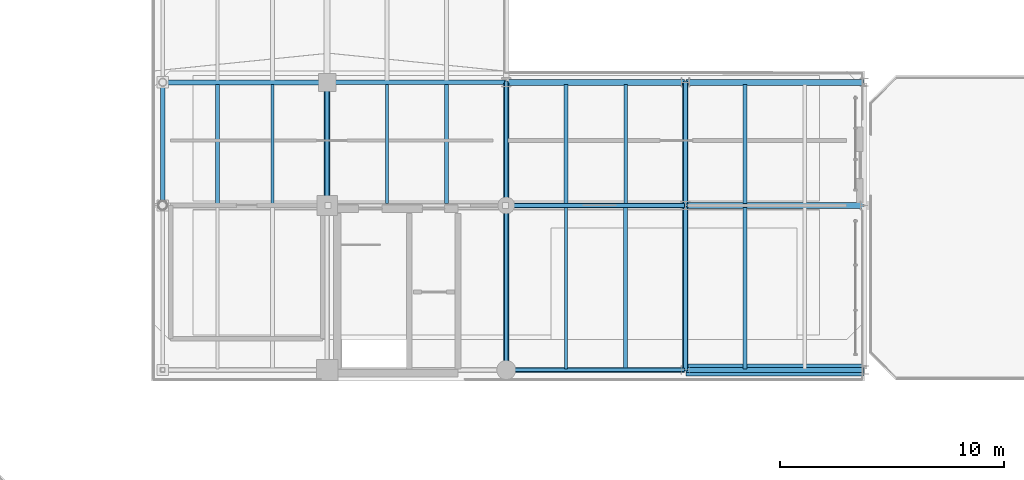
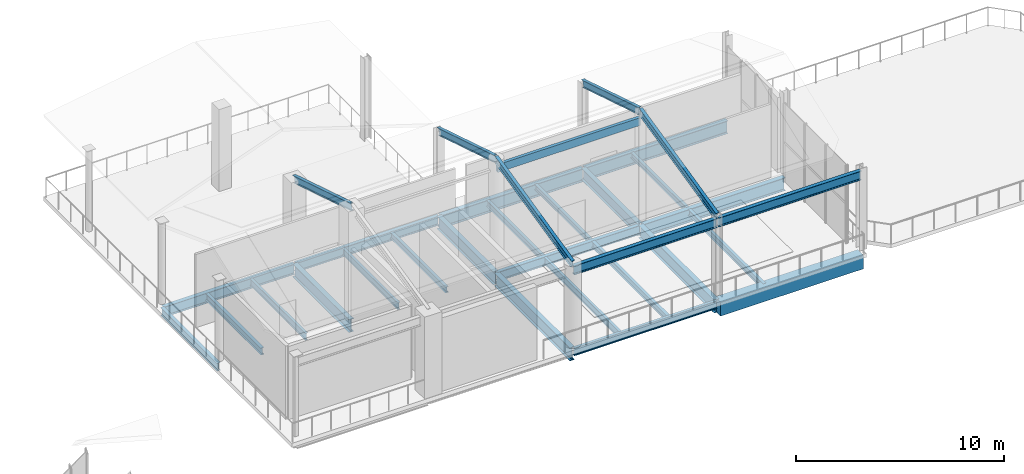
# One storey, part 16 of 30: 26 beams, 6 members.
"""IFC4 building model written with IfcOpenShell, lengths in metres."""

from ifc_helpers import new_model, si_unit, direction, frame, origin, origin_2d, place, context, subcontext, project, spatial, rectangle, i_section, extrude, material, material_profile, profile_set, type_object, element, save


model = new_model("IFC4")

# Units and contexts
model_context = context("Model", 3, precision=1e-05, world=origin(), true_north=direction((0.0, 1.0)))
body_context = subcontext(model_context, "Body", "Model", "MODEL_VIEW")
ifc_project = project(units=[si_unit("LENGTHUNIT", "METRE"), si_unit("AREAUNIT", "SQUARE_METRE"), si_unit("VOLUMEUNIT", "CUBIC_METRE"), si_unit("PLANEANGLEUNIT", "RADIAN"), si_unit("MASSUNIT", "GRAM", prefix="KILO")], contexts=[model_context])

# Site, building, storey
site_placement = place(None, origin())
site = spatial("IfcSite", under=ifc_project, at=site_placement, CompositionType="ELEMENT")
building_placement = place(site_placement, origin())
building = spatial("IfcBuilding", under=site, at=building_placement, Name="Brisemont Oceanarium", CompositionType="ELEMENT")
storey_placement = place(building_placement, frame((0.0, 0.0, 19.800048828125)))
storey = spatial("IfcBuildingStorey", under=building, at=storey_placement, Name="L04", CompositionType="ELEMENT", Elevation=19.800048828125)

# Beams
ifc_material_1 = material(Name="Concrete C40/50", Category="concrete")
ifc_material_profile_1 = material_profile(ifc_material_1, rectangle(XDim=0.550048828125, YDim=0.800048828125, at=origin_2d()), Name="RC-BM-550X800")
ifc_profile_set_1 = profile_set([ifc_material_profile_1], Name="Concrete C40/50")
beam_type_1 = type_object("IfcBeamType", Name="BM-RC550X800", PredefinedType="SPANDREL", material=ifc_profile_set_1)
beam_1_placement = place(storey_placement, frame((136.0400390625, 80.64990234375, -0.64013671875), z_axis=(1.0, 0.0, 0.0), x_axis=(0.0, 1.0, 0.0)))
element("IfcBeam", 1, at=beam_1_placement, inside=storey, type_object=beam_type_1, Name="V6 L04 EW girder", PredefinedType="SPANDREL", context=body_context, shape_type="SweptSolid", body=[
    extrude(rectangle(XDim=0.550048828125, YDim=0.800048828125, at=origin_2d()), origin(), (0.0, 0.0, 1.0), 7.919921875),
])
ifc_material_2 = material(Name="Structural Steel ASTM A992 Gr.50", Category="steel")
ifc_material_profile_2 = material_profile(ifc_material_2, i_section(OverallWidth=0.1650390625, OverallDepth=0.31005859375, WebThickness=0.005859375, FlangeThickness=0.009765625, FilletRadius=0.008056640625, at=origin_2d()), Name="W12X26")
ifc_profile_set_2 = profile_set([ifc_material_profile_2], Name="Structural Steel ASTM A992 Gr.50")
beam_type_2 = type_object("IfcBeamType", Name="BM-W12X26", PredefinedType="JOIST", material=ifc_profile_set_2)
for number, where, z_axis, x_axis, name in (
    (2, (133.333251953125, 88.090087890625, -0.39501953125), (0.0, 1.0, 0.0), (-1.0, 0.0, 0.0), "V6 L04 secondary floor beam"),
    (3, (138.666748046875, 88.090087890625, -0.39501953125), (0.0, 1.0, 0.0), (-1.0, 0.0, 0.0), "V6 L04 secondary floor beam"),
):
    element("IfcBeam", number, at=place(storey_placement, frame(where, z_axis=z_axis, x_axis=x_axis)), inside=storey, type_object=beam_type_2, Name=name, PredefinedType="JOIST", context=body_context, shape_type="SweptSolid", body=[
        extrude(i_section(OverallWidth=0.1650390625, OverallDepth=0.31005859375, WebThickness=0.005859375, FlangeThickness=0.009765625, FilletRadius=0.008056640625, at=origin_2d()), origin(), (0.0, 0.0, 1.0), 5.31982421875),
    ])
ifc_material_3 = material(Name="Structural Steel ASTM A992 Gr.50", Category="steel")
ifc_material_profile_3 = material_profile(ifc_material_3, i_section(OverallWidth=0.1708984375, OverallDepth=0.35107421875, WebThickness=0.0068359375, FlangeThickness=0.009765625, FilletRadius=0.010009765625, at=origin_2d()), Name="W14X30")
ifc_profile_set_3 = profile_set([ifc_material_profile_3], Name="Structural Steel ASTM A992 Gr.50")
beam_type_3 = type_object("IfcBeamType", Name="BM-W14X30", PredefinedType="JOIST", material=ifc_profile_set_3)
beam_2_placement = place(storey_placement, frame((125.333251953125, 88.090087890625, -0.41552734375), z_axis=(0.0, 1.0, 0.0), x_axis=(-1.0, 0.0, 0.0)))
element("IfcBeam", 4, at=beam_2_placement, inside=storey, type_object=beam_type_3, Name="V6 L04 secondary floor beam", PredefinedType="JOIST", context=body_context, shape_type="SweptSolid", body=[
    extrude(i_section(OverallWidth=0.1708984375, OverallDepth=0.35107421875, WebThickness=0.0068359375, FlangeThickness=0.009765625, FilletRadius=0.010009765625, at=origin_2d()), origin(), (0.0, 0.0, 1.0), 5.31982421875),
])
beam_3_placement = place(storey_placement, frame((133.333251953125, 80.68994140625, -0.41552734375), z_axis=(0.0, 1.0, 0.0), x_axis=(-1.0, 0.0, 0.0)))
element("IfcBeam", 5, at=beam_3_placement, inside=storey, type_object=beam_type_3, Name="V6 L04 secondary floor beam", PredefinedType="JOIST", context=body_context, shape_type="SweptSolid", body=[
    extrude(i_section(OverallWidth=0.1708984375, OverallDepth=0.35107421875, WebThickness=0.0068359375, FlangeThickness=0.009765625, FilletRadius=0.010009765625, at=origin_2d()), origin(), (0.0, 0.0, 1.0), 7.219970703125),
])
beam_4_placement = place(storey_placement, frame((130.666748046875, 88.090087890625, -0.41552734375), z_axis=(0.0, 1.0, 0.0), x_axis=(-1.0, 0.0, 0.0)))
element("IfcBeam", 6, at=beam_4_placement, inside=storey, type_object=beam_type_3, Name="V6 L04 secondary floor beam", PredefinedType="JOIST", context=body_context, shape_type="SweptSolid", body=[
    extrude(i_section(OverallWidth=0.1708984375, OverallDepth=0.35107421875, WebThickness=0.0068359375, FlangeThickness=0.009765625, FilletRadius=0.010009765625, at=origin_2d()), origin(), (0.0, 0.0, 1.0), 5.31982421875),
])
beam_5_placement = place(storey_placement, frame((138.666748046875, 80.68994140625, -0.41552734375), z_axis=(0.0, 1.0, 0.0), x_axis=(-1.0, 0.0, 0.0)))
element("IfcBeam", 7, at=beam_5_placement, inside=storey, type_object=beam_type_3, Name="V6 L04 secondary floor beam", PredefinedType="JOIST", context=body_context, shape_type="SweptSolid", body=[
    extrude(i_section(OverallWidth=0.1708984375, OverallDepth=0.35107421875, WebThickness=0.0068359375, FlangeThickness=0.009765625, FilletRadius=0.010009765625, at=origin_2d()), origin(), (0.0, 0.0, 1.0), 7.219970703125),
])
ifc_material_4 = material(Name="Structural Steel ASTM A992 Gr.50", Category="steel")
ifc_material_profile_4 = material_profile(ifc_material_4, i_section(OverallWidth=0.139892578125, OverallDepth=0.39892578125, WebThickness=0.00634765625, FlangeThickness=0.0087890625, FilletRadius=0.010009765625, at=origin_2d()), Name="W16X26")
ifc_profile_set_4 = profile_set([ifc_material_profile_4], Name="Structural Steel ASTM A992 Gr.50")
beam_type_4 = type_object("IfcBeamType", Name="BM-W16X26", PredefinedType="JOIST", material=ifc_profile_set_4)
for number, where, z_axis, x_axis, name in (
    (8, (117.550048828125, 88.090087890625, -0.439453125), (0.0, 1.0, 0.0), (-1.0, 0.0, 0.0), "V6 L04 secondary floor beam"),
    (9, (122.666748046875, 88.090087890625, -0.439453125), (0.0, 1.0, 0.0), (-1.0, 0.0, 0.0), "V6 L04 secondary floor beam"),
):
    element("IfcBeam", number, at=place(storey_placement, frame(where, z_axis=z_axis, x_axis=x_axis)), inside=storey, type_object=beam_type_4, Name=name, PredefinedType="JOIST", context=body_context, shape_type="SweptSolid", body=[
        extrude(i_section(OverallWidth=0.139892578125, OverallDepth=0.39892578125, WebThickness=0.00634765625, FlangeThickness=0.0087890625, FilletRadius=0.010009765625, at=origin_2d()), origin(), (0.0, 0.0, 1.0), 5.31982421875),
    ])
beam_6_placement = place(storey_placement, frame((130.666748046875, 80.68994140625, -0.439453125), z_axis=(0.0, 1.0, 0.0), x_axis=(-1.0, 0.0, 0.0)))
element("IfcBeam", 10, at=beam_6_placement, inside=storey, type_object=beam_type_4, Name="V6 L04 secondary floor beam", PredefinedType="JOIST", context=body_context, shape_type="SweptSolid", body=[
    extrude(i_section(OverallWidth=0.139892578125, OverallDepth=0.39892578125, WebThickness=0.00634765625, FlangeThickness=0.0087890625, FilletRadius=0.010009765625, at=origin_2d()), origin(), (0.0, 0.0, 1.0), 7.219970703125),
])
ifc_material_5 = material(Name="Structural Steel ASTM A992 Gr.50", Category="steel")
ifc_material_profile_5 = material_profile(ifc_material_5, i_section(OverallWidth=0.177978515625, OverallDepth=0.404052734375, WebThickness=0.007568359375, FlangeThickness=0.010986328125, FilletRadius=0.010009765625, at=origin_2d()), Name="W16X36")
ifc_profile_set_5 = profile_set([ifc_material_profile_5], Name="Structural Steel ASTM A992 Gr.50")
beam_type_5 = type_object("IfcBeamType", Name="BM-W16X36", PredefinedType="JOIST", material=ifc_profile_set_5)
beam_7_placement = place(storey_placement, frame((115.10009765625, 88.090087890625, -0.442138671875), z_axis=(0.0, 1.0, 0.0), x_axis=(-1.0, 0.0, 0.0)))
element("IfcBeam", 11, at=beam_7_placement, inside=storey, type_object=beam_type_5, Name="V6 L04 secondary floor beam", PredefinedType="JOIST", context=body_context, shape_type="SweptSolid", body=[
    extrude(i_section(OverallWidth=0.177978515625, OverallDepth=0.404052734375, WebThickness=0.007568359375, FlangeThickness=0.010986328125, FilletRadius=0.010009765625, at=origin_2d()), origin(), (0.0, 0.0, 1.0), 5.31982421875),
])
ifc_material_6 = material(Name="Structural Steel ASTM A992 Gr.50", Category="steel")
ifc_material_profile_6 = material_profile(ifc_material_6, i_section(OverallWidth=0.154052734375, OverallDepth=0.458984375, WebThickness=0.009033203125, FlangeThickness=0.015380859375, FilletRadius=0.010986328125, at=origin_2d()), Name="W18X46")
ifc_profile_set_6 = profile_set([ifc_material_profile_6], Name="Structural Steel ASTM A992 Gr.50")
beam_type_6 = type_object("IfcBeamType", Name="BM-W18X46", PredefinedType="SPANDREL", material=ifc_profile_set_6)
beam_8_placement = place(storey_placement, frame((128.0400390625, 80.64990234375, -0.469482421875), z_axis=(1.0, 0.0, 0.0), x_axis=(0.0, 1.0, 0.0)))
element("IfcBeam", 12, at=beam_8_placement, inside=storey, type_object=beam_type_6, Name="V6 L04 EW girder", PredefinedType="SPANDREL", context=body_context, shape_type="SweptSolid", body=[
    extrude(i_section(OverallWidth=0.154052734375, OverallDepth=0.458984375, WebThickness=0.009033203125, FlangeThickness=0.015380859375, FilletRadius=0.010986328125, at=origin_2d()), origin(), (0.0, 0.0, 1.0), 7.919921875),
])
ifc_material_7 = material(Name="Structural Steel ASTM A992 Gr.50", Category="steel")
ifc_material_profile_7 = material_profile(ifc_material_7, i_section(OverallWidth=0.19091796875, OverallDepth=0.4599609375, WebThickness=0.010009765625, FlangeThickness=0.01611328125, FilletRadius=0.010986328125, at=origin_2d()), Name="W18X55")
ifc_profile_set_7 = profile_set([ifc_material_profile_7], Name="Structural Steel ASTM A992 Gr.50")
beam_type_7 = type_object("IfcBeamType", Name="BM-W18X55", PredefinedType="SPANDREL", material=ifc_profile_set_7)
beam_9_placement = place(storey_placement, frame((112.64990234375, 88.0400390625, -0.469970703125), z_axis=(0.0, 1.0, 0.0), x_axis=(-1.0, 0.0, 0.0)))
element("IfcBeam", 13, at=beam_9_placement, inside=storey, type_object=beam_type_7, Name="V6 L04 NS girder", PredefinedType="SPANDREL", context=body_context, shape_type="SweptSolid", body=[
    extrude(i_section(OverallWidth=0.19091796875, OverallDepth=0.4599609375, WebThickness=0.010009765625, FlangeThickness=0.01611328125, FilletRadius=0.010986328125, at=origin_2d()), origin(), (0.0, 0.0, 1.0), 5.419921875),
])
ifc_material_8 = material(Name="Structural Steel ASTM A992 Gr.50", Category="steel")
ifc_material_profile_8 = material_profile(ifc_material_8, i_section(OverallWidth=0.2099609375, OverallDepth=0.532958984375, WebThickness=0.01025390625, FlangeThickness=0.015625, FilletRadius=0.012939453125, at=origin_2d()), Name="W21X62")
ifc_profile_set_8 = profile_set([ifc_material_profile_8], Name="Structural Steel ASTM A992 Gr.50")
beam_type_8 = type_object("IfcBeamType", Name="BM-W21X62", PredefinedType="BEAM", material=ifc_profile_set_8)
for number, where, z_axis, x_axis, name in (
    (14, (128.0400390625, 88.0, -0.506591796875), (1.0, 0.0, 0.0), (0.0, 1.0, 0.0), "V6 L04 EW girder"),
    (15, (120.0400390625, 93.5, -0.506591796875), (1.0, 0.0, 0.0), (0.0, 1.0, 0.0), "V6 L04 EW girder"),
    (16, (128.0400390625, 80.64990234375, 4.33349609375), (1.0, 0.0, 0.0), (0.0, 1.0, 0.0), "V6 roof eave girder"),
    (17, (136.0400390625, 80.64990234375, 4.33349609375), (1.0, 0.0, 0.0), (0.0, 1.0, 0.0), "V6 roof eave girder"),
):
    element("IfcBeam", number, at=place(storey_placement, frame(where, z_axis=z_axis, x_axis=x_axis)), inside=storey, type_object=beam_type_8, Name=name, PredefinedType="BEAM", context=body_context, shape_type="SweptSolid", body=[
        extrude(i_section(OverallWidth=0.2099609375, OverallDepth=0.532958984375, WebThickness=0.01025390625, FlangeThickness=0.015625, FilletRadius=0.012939453125, at=origin_2d()), origin(), (0.0, 0.0, 1.0), 7.919921875),
    ])
ifc_material_9 = material(Name="Structural Steel ASTM A992 Gr.50", Category="steel")
ifc_material_profile_9 = material_profile(ifc_material_9, i_section(OverallWidth=0.22802734375, OverallDepth=0.60205078125, WebThickness=0.010498046875, FlangeThickness=0.014892578125, FilletRadius=0.012939453125, at=origin_2d()), Name="W24X68")
ifc_profile_set_9 = profile_set([ifc_material_profile_9], Name="Structural Steel ASTM A992 Gr.50")
beam_type_9 = type_object("IfcBeamType", Name="BM-W24X68", PredefinedType="BEAM", material=ifc_profile_set_9)
beam_10_placement = place(storey_placement, frame((112.68994140625, 93.5, -0.541015625), z_axis=(1.0, 0.0, 0.0), x_axis=(0.0, 1.0, 0.0)))
element("IfcBeam", 18, at=beam_10_placement, inside=storey, type_object=beam_type_9, Name="V6 L04 EW girder", PredefinedType="BEAM", context=body_context, shape_type="SweptSolid", body=[
    extrude(i_section(OverallWidth=0.22802734375, OverallDepth=0.60205078125, WebThickness=0.010498046875, FlangeThickness=0.014892578125, FilletRadius=0.012939453125, at=origin_2d()), origin(), (0.0, 0.0, 1.0), 7.27001953125),
])
ifc_material_10 = material(Name="Structural Steel ASTM A992 Gr.50", Category="steel")
ifc_material_profile_10 = material_profile(ifc_material_10, i_section(OverallWidth=0.25390625, OverallDepth=0.68310546875, WebThickness=0.012451171875, FlangeThickness=0.018798828125, FilletRadius=0.014892578125, at=origin_2d()), Name="W27X94")
ifc_profile_set_10 = profile_set([ifc_material_profile_10], Name="Structural Steel ASTM A992 Gr.50")
beam_type_10 = type_object("IfcBeamType", Name="BM-W27X94", PredefinedType="BEAM", material=ifc_profile_set_10)
beam_11_placement = place(storey_placement, frame((136.0, 88.0400390625, -0.58154296875), z_axis=(0.0, 1.0, 0.0), x_axis=(-1.0, 0.0, 0.0)))
element("IfcBeam", 19, at=beam_11_placement, inside=storey, type_object=beam_type_10, Name="V6 L04 NS girder", PredefinedType="BEAM", context=body_context, shape_type="SweptSolid", body=[
    extrude(i_section(OverallWidth=0.25390625, OverallDepth=0.68310546875, WebThickness=0.012451171875, FlangeThickness=0.018798828125, FilletRadius=0.014892578125, at=origin_2d()), origin(), (0.0, 0.0, 1.0), 5.419921875),
])
ifc_material_11 = material(Name="Structural Steel ASTM A992 Gr.50", Category="steel")
ifc_material_profile_11 = material_profile(ifc_material_11, i_section(OverallWidth=0.26708984375, OverallDepth=0.761962890625, WebThickness=0.014404296875, FlangeThickness=0.021484375, FilletRadius=0.01611328125, at=origin_2d()), Name="W30X116")
ifc_profile_set_11 = profile_set([ifc_material_profile_11], Name="Structural Steel ASTM A992 Gr.50")
beam_type_11 = type_object("IfcBeamType", Name="BM-W30X116", PredefinedType="BEAM", material=ifc_profile_set_11)
for number, where, z_axis, x_axis, name in (
    (20, (136.0400390625, 88.0, -0.62109375), (1.0, 0.0, 0.0), (0.0, 1.0, 0.0), "V6 L04 EW girder"),
    (21, (128.0400390625, 93.5, -0.62109375), (1.0, 0.0, 0.0), (0.0, 1.0, 0.0), "V6 L04 EW girder"),
):
    element("IfcBeam", number, at=place(storey_placement, frame(where, z_axis=z_axis, x_axis=x_axis)), inside=storey, type_object=beam_type_11, Name=name, PredefinedType="BEAM", context=body_context, shape_type="SweptSolid", body=[
        extrude(i_section(OverallWidth=0.26708984375, OverallDepth=0.761962890625, WebThickness=0.014404296875, FlangeThickness=0.021484375, FilletRadius=0.01611328125, at=origin_2d()), origin(), (0.0, 0.0, 1.0), 7.919921875),
    ])
beam_12_placement = place(storey_placement, frame((120.0, 88.0400390625, -0.62109375), z_axis=(0.0, 1.0, 0.0), x_axis=(-1.0, 0.0, 0.0)))
element("IfcBeam", 22, at=beam_12_placement, inside=storey, type_object=beam_type_11, Name="V6 L04 NS girder", PredefinedType="BEAM", context=body_context, shape_type="SweptSolid", body=[
    extrude(i_section(OverallWidth=0.26708984375, OverallDepth=0.761962890625, WebThickness=0.014404296875, FlangeThickness=0.021484375, FilletRadius=0.01611328125, at=origin_2d()), origin(), (0.0, 0.0, 1.0), 5.419921875),
])
beam_13_placement = place(storey_placement, frame((128.0, 80.68994140625, -0.62109375), z_axis=(0.0, 1.0, 0.0), x_axis=(-1.0, 0.0, 0.0)))
element("IfcBeam", 23, at=beam_13_placement, inside=storey, type_object=beam_type_11, Name="V6 L04 NS girder", PredefinedType="BEAM", context=body_context, shape_type="SweptSolid", body=[
    extrude(i_section(OverallWidth=0.26708984375, OverallDepth=0.761962890625, WebThickness=0.014404296875, FlangeThickness=0.021484375, FilletRadius=0.01611328125, at=origin_2d()), origin(), (0.0, 0.0, 1.0), 7.27001953125),
])
ifc_material_12 = material(Name="Structural Steel ASTM A992 Gr.50", Category="steel")
ifc_material_profile_12 = material_profile(ifc_material_12, i_section(OverallWidth=0.264892578125, OverallDepth=0.7529296875, WebThickness=0.01318359375, FlangeThickness=0.01708984375, FilletRadius=0.01611328125, at=origin_2d()), Name="W30X99")
ifc_profile_set_12 = profile_set([ifc_material_profile_12], Name="Structural Steel ASTM A992 Gr.50")
beam_type_12 = type_object("IfcBeamType", Name="BM-W30X99", PredefinedType="BEAM", material=ifc_profile_set_12)
beam_14_placement = place(storey_placement, frame((136.0400390625, 93.5, -0.616455078125), z_axis=(1.0, 0.0, 0.0), x_axis=(0.0, 1.0, 0.0)))
element("IfcBeam", 24, at=beam_14_placement, inside=storey, type_object=beam_type_12, Name="V6 L04 EW girder", PredefinedType="BEAM", context=body_context, shape_type="SweptSolid", body=[
    extrude(i_section(OverallWidth=0.264892578125, OverallDepth=0.7529296875, WebThickness=0.01318359375, FlangeThickness=0.01708984375, FilletRadius=0.01611328125, at=origin_2d()), origin(), (0.0, 0.0, 1.0), 7.919921875),
])
beam_15_placement = place(storey_placement, frame((128.0, 88.0400390625, -0.616455078125), z_axis=(0.0, 1.0, 0.0), x_axis=(-1.0, 0.0, 0.0)))
element("IfcBeam", 25, at=beam_15_placement, inside=storey, type_object=beam_type_12, Name="V6 L04 NS girder", PredefinedType="BEAM", context=body_context, shape_type="SweptSolid", body=[
    extrude(i_section(OverallWidth=0.264892578125, OverallDepth=0.7529296875, WebThickness=0.01318359375, FlangeThickness=0.01708984375, FilletRadius=0.01611328125, at=origin_2d()), origin(), (0.0, 0.0, 1.0), 5.419921875),
])
beam_16_placement = place(storey_placement, frame((136.0, 80.68994140625, -0.616455078125), z_axis=(0.0, 1.0, 0.0), x_axis=(-1.0, 0.0, 0.0)))
element("IfcBeam", 26, at=beam_16_placement, inside=storey, type_object=beam_type_12, Name="V6 L04 NS girder", PredefinedType="BEAM", context=body_context, shape_type="SweptSolid", body=[
    extrude(i_section(OverallWidth=0.264892578125, OverallDepth=0.7529296875, WebThickness=0.01318359375, FlangeThickness=0.01708984375, FilletRadius=0.01611328125, at=origin_2d()), origin(), (0.0, 0.0, 1.0), 7.27001953125),
])

# Members
ifc_material_13 = material(Name="Glulam Timber 24F-V4 DF", Category="wood")
ifc_material_profile_13 = material_profile(ifc_material_13, rectangle(XDim=0.1708984375, YDim=0.45703125, at=origin_2d()), Name="GL-171X457")
ifc_profile_set_13 = profile_set([ifc_material_profile_13], Name="Glulam Timber 24F-V4 DF")
member_type_1 = type_object("IfcMemberType", Name="MEM-PU-GL171", PredefinedType="PURLIN", material=ifc_profile_set_13)
member_1_placement = place(storey_placement, frame((128.0400390625, 88.0, 5.829833984375), z_axis=(1.0, 0.0, 0.0), x_axis=(0.0, 1.0, 0.0)))
element("IfcMember", 27, at=member_1_placement, inside=storey, type_object=member_type_1, Name="V6 ridge purlin 2", PredefinedType="PURLIN", context=body_context, shape_type="SweptSolid", body=[
    extrude(rectangle(XDim=0.1708984375, YDim=0.45703125, at=origin_2d()), origin(), (0.0, 0.0, 1.0), 7.919921875),
])
ifc_material_14 = material(Name="Structural Steel ASTM A992 Gr.50", Category="steel")
ifc_material_profile_14 = material_profile(ifc_material_14, i_section(OverallWidth=0.177978515625, OverallDepth=0.404052734375, WebThickness=0.007568359375, FlangeThickness=0.010986328125, FilletRadius=0.010009765625, at=origin_2d()), Name="W16X36")
ifc_profile_set_14 = profile_set([ifc_material_profile_14], Name="Structural Steel ASTM A992 Gr.50")
member_type_2 = type_object("IfcMemberType", Name="MEM-RF-W16X36", PredefinedType="RAFTER", material=ifc_profile_set_14)
member_2_placement = place(storey_placement, frame((120.0, 93.5, 4.679931640625), z_axis=(0.0, -0.955405034014, 0.295298528579), x_axis=(1.0, 0.0, 0.0)))
element("IfcMember", 28, at=member_2_placement, inside=storey, type_object=member_type_2, Name="V6 pitched roof rafter 1B", PredefinedType="RAFTER", context=body_context, shape_type="SweptSolid", body=[
    extrude(i_section(OverallWidth=0.177978515625, OverallDepth=0.404052734375, WebThickness=0.007568359375, FlangeThickness=0.010986328125, FilletRadius=0.010009765625, at=origin_2d()), origin(), (0.0, 0.0, 1.0), 5.7568359375),
])
member_3_placement = place(storey_placement, frame((128.0, 80.64990234375, 4.679931640625), z_axis=(0.0, 0.97428145007, 0.225334542511), x_axis=(-1.0, 0.0, 0.0)))
element("IfcMember", 29, at=member_3_placement, inside=storey, type_object=member_type_2, Name="V6 pitched roof rafter 2A", PredefinedType="RAFTER", context=body_context, shape_type="SweptSolid", body=[
    extrude(i_section(OverallWidth=0.177978515625, OverallDepth=0.404052734375, WebThickness=0.007568359375, FlangeThickness=0.010986328125, FilletRadius=0.010009765625, at=origin_2d()), origin(), (0.0, 0.0, 1.0), 7.544189453125),
])
member_4_placement = place(storey_placement, frame((128.0, 93.5, 4.679931640625), z_axis=(0.0, -0.955405034014, 0.295298528579), x_axis=(1.0, 0.0, 0.0)))
element("IfcMember", 30, at=member_4_placement, inside=storey, type_object=member_type_2, Name="V6 pitched roof rafter 2B", PredefinedType="RAFTER", context=body_context, shape_type="SweptSolid", body=[
    extrude(i_section(OverallWidth=0.177978515625, OverallDepth=0.404052734375, WebThickness=0.007568359375, FlangeThickness=0.010986328125, FilletRadius=0.010009765625, at=origin_2d()), origin(), (0.0, 0.0, 1.0), 5.7568359375),
])
member_5_placement = place(storey_placement, frame((136.0, 80.64990234375, 4.679931640625), z_axis=(0.0, 0.97428145007, 0.225334542511), x_axis=(-1.0, 0.0, 0.0)))
element("IfcMember", 31, at=member_5_placement, inside=storey, type_object=member_type_2, Name="V6 pitched roof rafter 3A", PredefinedType="RAFTER", context=body_context, shape_type="SweptSolid", body=[
    extrude(i_section(OverallWidth=0.177978515625, OverallDepth=0.404052734375, WebThickness=0.007568359375, FlangeThickness=0.010986328125, FilletRadius=0.010009765625, at=origin_2d()), origin(), (0.0, 0.0, 1.0), 7.544189453125),
])
member_6_placement = place(storey_placement, frame((136.0, 93.5, 4.679931640625), z_axis=(0.0, -0.955405034014, 0.295298528579), x_axis=(1.0, 0.0, 0.0)))
element("IfcMember", 32, at=member_6_placement, inside=storey, type_object=member_type_2, Name="V6 pitched roof rafter 3B", PredefinedType="RAFTER", context=body_context, shape_type="SweptSolid", body=[
    extrude(i_section(OverallWidth=0.177978515625, OverallDepth=0.404052734375, WebThickness=0.007568359375, FlangeThickness=0.010986328125, FilletRadius=0.010009765625, at=origin_2d()), origin(), (0.0, 0.0, 1.0), 5.7568359375),
])

save(model, "model.ifc")
